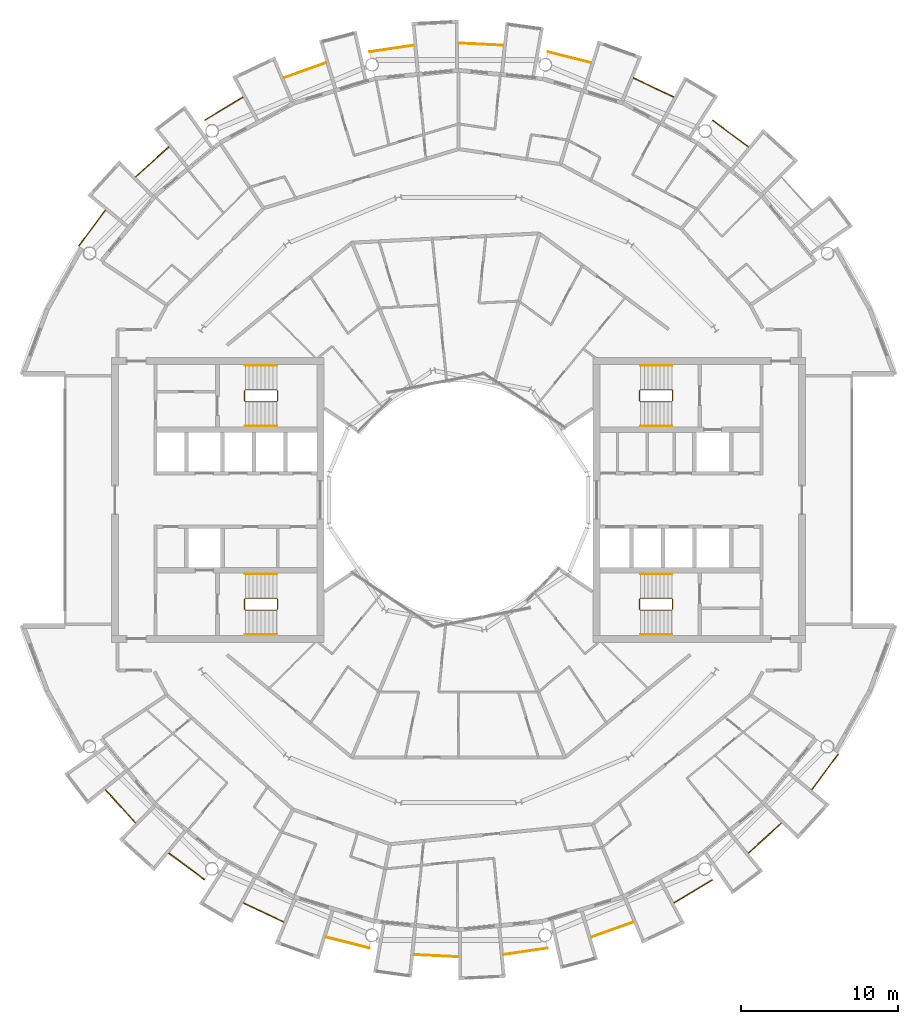
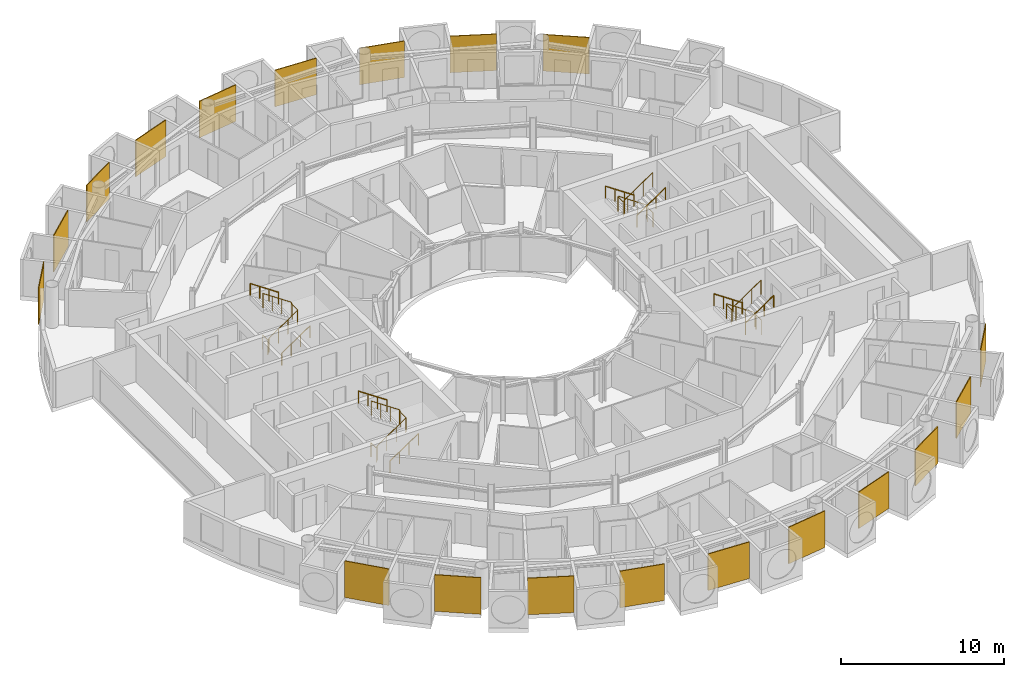
# One storey, part 28 of 29: 31 railings.
"""IFC4 building model written with IfcOpenShell, lengths in metres."""

from ifc_helpers import new_model, si_unit, direction, frame, origin, origin_2d, place, context, subcontext, project, spatial, polyline, circle, outline, extrude, material, layer, layer_set, type_object, element, save


model = new_model("IFC4")

# Units and contexts
model_context = context("Model", 3, precision=1e-05, world=origin(), true_north=direction((0.0, 1.0)))
body_context = subcontext(model_context, "Body", "Model", "MODEL_VIEW")
ifc_project = project(units=[si_unit("LENGTHUNIT", "METRE"), si_unit("AREAUNIT", "SQUARE_METRE"), si_unit("VOLUMEUNIT", "CUBIC_METRE"), si_unit("PLANEANGLEUNIT", "RADIAN"), si_unit("MASSUNIT", "GRAM", prefix="KILO")], contexts=[model_context])

# Site, building, storey
site_placement = place(None, origin())
site = spatial("IfcSite", under=ifc_project, at=site_placement, CompositionType="ELEMENT")
building_placement = place(site_placement, origin())
building = spatial("IfcBuilding", under=site, at=building_placement, Name="Maasbend Ring Residences", CompositionType="ELEMENT")
storey_placement = place(building_placement, frame((0.0, 0.0, 205.449951171875)))
storey = spatial("IfcBuildingStorey", under=building, at=storey_placement, Name="L59", CompositionType="ELEMENT", Elevation=205.449951171875)

# Railings
ifc_material_1 = material(Name="Pale anodised perforated aluminium", Category="aluminium")
ifc_layer = layer(ifc_material_1, 0.06005859375)
ifc_layer_set = layer_set([ifc_layer], Name="SCREEN-P")
railing_type_1 = type_object("IfcRailingType", Name="SCREEN-P", PredefinedType="GUARDRAIL", material=ifc_layer_set)
railing_1_placement = place(storey_placement, frame((0.0, 0.0, -0.030029296875)))
element("IfcRailing", 1, at=railing_1_placement, inside=storey, type_object=railing_type_1, Name="Perforated screen guard 2", PredefinedType="GUARDRAIL", context=body_context, shape_type="SweptSolid", body=[
    extrude(outline(polyline([(18.39697265625, 22.4169921875), (16.112060546875, 24.113037109375), (16.14697265625, 24.160888671875), (18.43310546875, 22.465087890625), (18.39697265625, 22.4169921875)])), origin(), (0.0, 0.0, 1.0), 2.72998046875),
])
railing_2_placement = place(storey_placement, frame((0.0, 0.0, -0.030029296875)))
element("IfcRailing", 2, at=railing_2_placement, inside=storey, type_object=railing_type_1, Name="Perforated screen guard 3", PredefinedType="GUARDRAIL", context=body_context, shape_type="SweptSolid", body=[
    extrude(outline(polyline([(13.6708984375, 25.575927734375), (11.097900390625, 26.79296875), (11.123046875, 26.846923828125), (13.696044921875, 25.6298828125), (13.6708984375, 25.575927734375)])), origin(), (0.0, 0.0, 1.0), 2.72998046875),
])
railing_3_placement = place(storey_placement, frame((0.0, 0.0, -0.030029296875)))
element("IfcRailing", 3, at=railing_3_placement, inside=storey, type_object=railing_type_1, Name="Perforated screen guard 4", PredefinedType="GUARDRAIL", context=body_context, shape_type="SweptSolid", body=[
    extrude(outline(polyline([(8.41796875, 27.7509765625), (5.657958984375, 28.443115234375), (5.672119140625, 28.5009765625), (8.43310546875, 27.80908203125), (8.41796875, 27.7509765625)])), origin(), (0.0, 0.0, 1.0), 2.72998046875),
])
railing_4_placement = place(storey_placement, frame((0.0, 0.0, -0.030029296875)))
element("IfcRailing", 4, at=railing_4_placement, inside=storey, type_object=railing_type_1, Name="Perforated screen guard 5", PredefinedType="GUARDRAIL", context=body_context, shape_type="SweptSolid", body=[
    extrude(outline(polyline([(2.842041015625, 28.860107421875), (0.0, 29.0), (0.0029296875, 29.06005859375), (2.844970703125, 28.919921875), (2.842041015625, 28.860107421875)])), origin(), (0.0, 0.0, 1.0), 2.72998046875),
])
railing_5_placement = place(storey_placement, frame((0.0, 0.0, -0.030029296875)))
element("IfcRailing", 5, at=railing_5_placement, inside=storey, type_object=railing_type_1, Name="Perforated screen guard 6", PredefinedType="GUARDRAIL", context=body_context, shape_type="SweptSolid", body=[
    extrude(outline(polyline([(-2.842041015625, 28.860107421875), (-5.657958984375, 28.443115234375), (-5.666015625, 28.501953125), (-2.85107421875, 28.919921875), (-2.842041015625, 28.860107421875)])), origin(), (0.0, 0.0, 1.0), 2.72998046875),
])
railing_6_placement = place(storey_placement, frame((0.0, 0.0, -0.030029296875)))
element("IfcRailing", 6, at=railing_6_placement, inside=storey, type_object=railing_type_1, Name="Perforated screen guard 7", PredefinedType="GUARDRAIL", context=body_context, shape_type="SweptSolid", body=[
    extrude(outline(polyline([(-8.41796875, 27.7509765625), (-11.097900390625, 26.79296875), (-11.117919921875, 26.84912109375), (-8.43798828125, 27.80810546875), (-8.41796875, 27.7509765625)])), origin(), (0.0, 0.0, 1.0), 2.72998046875),
])
railing_7_placement = place(storey_placement, frame((0.0, 0.0, -0.030029296875)))
element("IfcRailing", 7, at=railing_7_placement, inside=storey, type_object=railing_type_1, Name="Perforated screen guard 8", PredefinedType="GUARDRAIL", context=body_context, shape_type="SweptSolid", body=[
    extrude(outline(polyline([(-13.6708984375, 25.575927734375), (-16.112060546875, 24.113037109375), (-16.14208984375, 24.1640625), (-13.700927734375, 25.626953125), (-13.6708984375, 25.575927734375)])), origin(), (0.0, 0.0, 1.0), 2.72998046875),
])
railing_8_placement = place(storey_placement, frame((0.0, 0.0, -0.030029296875)))
element("IfcRailing", 8, at=railing_8_placement, inside=storey, type_object=railing_type_1, Name="Perforated screen guard 9", PredefinedType="GUARDRAIL", context=body_context, shape_type="SweptSolid", body=[
    extrude(outline(polyline([(-18.39697265625, 22.4169921875), (-20.506103515625, 20.506103515625), (-20.5458984375, 20.551025390625), (-18.43798828125, 22.4619140625), (-18.39697265625, 22.4169921875)])), origin(), (0.0, 0.0, 1.0), 2.72998046875),
])
railing_9_placement = place(storey_placement, frame((0.0, 0.0, -0.030029296875)))
element("IfcRailing", 9, at=railing_9_placement, inside=storey, type_object=railing_type_1, Name="Perforated screen guard 10", PredefinedType="GUARDRAIL", context=body_context, shape_type="SweptSolid", body=[
    extrude(outline(polyline([(-22.4169921875, 18.39697265625), (-24.113037109375, 16.112060546875), (-24.160888671875, 16.14697265625), (-22.465087890625, 18.43310546875), (-22.4169921875, 18.39697265625)])), origin(), (0.0, 0.0, 1.0), 2.72998046875),
])
railing_10_placement = place(storey_placement, frame((0.0, 0.0, -0.030029296875)))
element("IfcRailing", 10, at=railing_10_placement, inside=storey, type_object=railing_type_1, Name="Perforated screen guard 1", PredefinedType="GUARDRAIL", context=body_context, shape_type="SweptSolid", body=[
    extrude(outline(polyline([(-22.4169921875, -18.39697265625), (-20.506103515625, -20.506103515625), (-20.551025390625, -20.5458984375), (-22.4619140625, -18.43798828125), (-22.4169921875, -18.39697265625)])), origin(), (0.0, 0.0, 1.0), 2.72998046875),
])
railing_11_placement = place(storey_placement, frame((0.0, 0.0, -0.030029296875)))
element("IfcRailing", 11, at=railing_11_placement, inside=storey, type_object=railing_type_1, Name="Perforated screen guard 2", PredefinedType="GUARDRAIL", context=body_context, shape_type="SweptSolid", body=[
    extrude(outline(polyline([(-18.39697265625, -22.4169921875), (-16.112060546875, -24.113037109375), (-16.14697265625, -24.160888671875), (-18.43310546875, -22.465087890625), (-18.39697265625, -22.4169921875)])), origin(), (0.0, 0.0, 1.0), 2.72998046875),
])
railing_12_placement = place(storey_placement, frame((0.0, 0.0, -0.030029296875)))
element("IfcRailing", 12, at=railing_12_placement, inside=storey, type_object=railing_type_1, Name="Perforated screen guard 3", PredefinedType="GUARDRAIL", context=body_context, shape_type="SweptSolid", body=[
    extrude(outline(polyline([(-13.6708984375, -25.575927734375), (-11.097900390625, -26.79296875), (-11.123046875, -26.846923828125), (-13.696044921875, -25.6298828125), (-13.6708984375, -25.575927734375)])), origin(), (0.0, 0.0, 1.0), 2.72998046875),
])
railing_13_placement = place(storey_placement, frame((0.0, 0.0, -0.030029296875)))
element("IfcRailing", 13, at=railing_13_placement, inside=storey, type_object=railing_type_1, Name="Perforated screen guard 4", PredefinedType="GUARDRAIL", context=body_context, shape_type="SweptSolid", body=[
    extrude(outline(polyline([(-8.41796875, -27.7509765625), (-5.657958984375, -28.443115234375), (-5.672119140625, -28.5009765625), (-8.43310546875, -27.80908203125), (-8.41796875, -27.7509765625)])), origin(), (0.0, 0.0, 1.0), 2.72998046875),
])
railing_14_placement = place(storey_placement, frame((0.0, 0.0, -0.030029296875)))
element("IfcRailing", 14, at=railing_14_placement, inside=storey, type_object=railing_type_1, Name="Perforated screen guard 5", PredefinedType="GUARDRAIL", context=body_context, shape_type="SweptSolid", body=[
    extrude(outline(polyline([(-2.842041015625, -28.860107421875), (0.0, -29.0), (-0.0029296875, -29.06005859375), (-2.844970703125, -28.919921875), (-2.842041015625, -28.860107421875)])), origin(), (0.0, 0.0, 1.0), 2.72998046875),
])
railing_15_placement = place(storey_placement, frame((0.0, 0.0, -0.030029296875)))
element("IfcRailing", 15, at=railing_15_placement, inside=storey, type_object=railing_type_1, Name="Perforated screen guard 6", PredefinedType="GUARDRAIL", context=body_context, shape_type="SweptSolid", body=[
    extrude(outline(polyline([(2.842041015625, -28.860107421875), (5.657958984375, -28.443115234375), (5.666015625, -28.501953125), (2.85107421875, -28.919921875), (2.842041015625, -28.860107421875)])), origin(), (0.0, 0.0, 1.0), 2.72998046875),
])
railing_16_placement = place(storey_placement, frame((0.0, 0.0, -0.030029296875)))
element("IfcRailing", 16, at=railing_16_placement, inside=storey, type_object=railing_type_1, Name="Perforated screen guard 7", PredefinedType="GUARDRAIL", context=body_context, shape_type="SweptSolid", body=[
    extrude(outline(polyline([(8.41796875, -27.7509765625), (11.097900390625, -26.79296875), (11.117919921875, -26.84912109375), (8.43798828125, -27.80810546875), (8.41796875, -27.7509765625)])), origin(), (0.0, 0.0, 1.0), 2.72998046875),
])
railing_17_placement = place(storey_placement, frame((0.0, 0.0, -0.030029296875)))
element("IfcRailing", 17, at=railing_17_placement, inside=storey, type_object=railing_type_1, Name="Perforated screen guard 8", PredefinedType="GUARDRAIL", context=body_context, shape_type="SweptSolid", body=[
    extrude(outline(polyline([(13.6708984375, -25.575927734375), (16.112060546875, -24.113037109375), (16.14208984375, -24.1640625), (13.700927734375, -25.626953125), (13.6708984375, -25.575927734375)])), origin(), (0.0, 0.0, 1.0), 2.72998046875),
])
railing_18_placement = place(storey_placement, frame((0.0, 0.0, -0.030029296875)))
element("IfcRailing", 18, at=railing_18_placement, inside=storey, type_object=railing_type_1, Name="Perforated screen guard 9", PredefinedType="GUARDRAIL", context=body_context, shape_type="SweptSolid", body=[
    extrude(outline(polyline([(18.39697265625, -22.4169921875), (20.506103515625, -20.506103515625), (20.5458984375, -20.551025390625), (18.43798828125, -22.4619140625), (18.39697265625, -22.4169921875)])), origin(), (0.0, 0.0, 1.0), 2.72998046875),
])
railing_19_placement = place(storey_placement, frame((0.0, 0.0, -0.030029296875)))
element("IfcRailing", 19, at=railing_19_placement, inside=storey, type_object=railing_type_1, Name="Perforated screen guard 10", PredefinedType="GUARDRAIL", context=body_context, shape_type="SweptSolid", body=[
    extrude(outline(polyline([(22.4169921875, -18.39697265625), (24.113037109375, -16.112060546875), (24.160888671875, -16.14697265625), (22.465087890625, -18.43310546875), (22.4169921875, -18.39697265625)])), origin(), (0.0, 0.0, 1.0), 2.72998046875),
])
ifc_material_2 = material(Name="Stainless steel 316", Category="steel")
railing_type_2 = type_object("IfcRailingType", Name="STAIR GUARD 1100", PredefinedType="GUARDRAIL", material=ifc_material_2)
railing_20_placement = place(storey_placement, frame((13.60009765625, 6.300048828125, 0.0)))
element("IfcRailing", 20, at=railing_20_placement, inside=storey, type_object=railing_type_2, Name="L59 ST-E1 stair guard 1", PredefinedType="GUARDRAIL", context=body_context, shape_type="SweptSolid", body=[
    extrude(circle(Radius=0.02392578125, at=origin_2d()), frame((0.0, 0.0, 1.076171875), z_axis=(0.0, 1.0, 0.0), x_axis=(-1.0, 0.0, 0.0)), (0.0, 0.0, 1.0), 0.64990234375),
    extrude(circle(Radius=0.02392578125, at=origin_2d()), frame((0.0, 0.64990234375, 1.076171875), z_axis=(-0.272562526181, 0.272562526181, 0.92272386912), x_axis=(-0.707106781187, -0.707106781187, 0.0)), (0.0, 0.0, 1.0), 0.18359375),
    extrude(circle(Radius=0.02392578125, at=origin_2d()), frame((-0.050048828125, 0.699951171875, 1.24560546875), z_axis=(-0.827750655447, 0.0, 0.561096116906), x_axis=(0.0, -1.0, 0.0)), (0.0, 0.0, 1.0), 2.416259765625),
    extrude(circle(Radius=0.02392578125, at=origin_2d()), frame((-2.050048828125, 0.699951171875, 2.60107421875), z_axis=(-0.707106781187, -0.707106781187, 0.0), x_axis=(0.707106781187, -0.707106781187, 0.0)), (0.0, 0.0, 1.0), 0.07080078125),
    extrude(circle(Radius=0.02392578125, at=origin_2d()), frame((-2.10009765625, 0.64990234375, 2.60107421875), z_axis=(0.0, -1.0, 0.0), x_axis=(1.0, 0.0, 0.0)), (0.0, 0.0, 1.0), 0.64990234375),
    extrude(circle(Radius=0.02392578125, at=origin_2d()), frame((-2.10009765625, 0.0, 2.60107421875), z_axis=(0.272562526181, -0.272562526181, 0.92272386912), x_axis=(0.707106781187, 0.707106781187, 0.0)), (0.0, 0.0, 1.0), 0.18359375),
    extrude(circle(Radius=0.02392578125, at=origin_2d()), frame((-2.050048828125, -0.050048828125, 2.7705078125), z_axis=(0.827797584762, 0.0, 0.561026878735), x_axis=(0.0, 1.0, 0.0)), (0.0, 0.0, 1.0), 2.416015625),
    extrude(circle(Radius=0.02099609375, at=origin_2d()), origin(), (0.0, 0.0, 1.0), 1.052001953125),
    extrude(circle(Radius=0.02099609375, at=origin_2d()), frame((0.0, 0.64990234375, 0.0)), (0.0, 0.0, 1.0), 1.052001953125),
    extrude(circle(Radius=0.02099609375, at=origin_2d()), frame((-0.050048828125, 0.699951171875, 0.16943359375)), (0.0, 0.0, 1.0), 1.052001953125),
    extrude(circle(Radius=0.02099609375, at=origin_2d()), frame((-0.716796875, 0.699951171875, 0.621337890625)), (0.0, 0.0, 1.0), 1.052001953125),
    extrude(circle(Radius=0.02099609375, at=origin_2d()), frame((-1.38330078125, 0.699951171875, 1.0732421875)), (0.0, 0.0, 1.0), 1.052001953125),
    extrude(circle(Radius=0.02099609375, at=origin_2d()), frame((-2.050048828125, 0.699951171875, 1.525146484375)), (0.0, 0.0, 1.0), 1.052001953125),
    extrude(circle(Radius=0.02099609375, at=origin_2d()), frame((-2.10009765625, 0.64990234375, 1.525146484375)), (0.0, 0.0, 1.0), 1.052001953125),
    extrude(circle(Radius=0.02099609375, at=origin_2d()), frame((-2.10009765625, 0.0, 1.525146484375)), (0.0, 0.0, 1.0), 1.052001953125),
    extrude(circle(Radius=0.02099609375, at=origin_2d()), frame((-2.050048828125, -0.050048828125, 1.694580078125)), (0.0, 0.0, 1.0), 1.052001953125),
    extrude(circle(Radius=0.02099609375, at=origin_2d()), frame((-1.38330078125, -0.050048828125, 2.146484375)), (0.0, 0.0, 1.0), 1.052001953125),
    extrude(circle(Radius=0.02099609375, at=origin_2d()), frame((-0.716796875, -0.050048828125, 2.59814453125)), (0.0, 0.0, 1.0), 1.052001953125),
    extrude(circle(Radius=0.02099609375, at=origin_2d()), frame((-0.050048828125, -0.050048828125, 3.050048828125)), (0.0, 0.0, 1.0), 1.052001953125),
])
railing_21_placement = place(storey_placement, frame((13.60009765625, -6.949951171875, 0.0)))
element("IfcRailing", 21, at=railing_21_placement, inside=storey, type_object=railing_type_2, Name="L59 ST-E2 stair guard 1", PredefinedType="GUARDRAIL", context=body_context, shape_type="SweptSolid", body=[
    extrude(circle(Radius=0.02392578125, at=origin_2d()), frame((0.0, 0.0, 1.076171875), z_axis=(0.0, 1.0, 0.0), x_axis=(-1.0, 0.0, 0.0)), (0.0, 0.0, 1.0), 0.64990234375),
    extrude(circle(Radius=0.02392578125, at=origin_2d()), frame((0.0, 0.64990234375, 1.076171875), z_axis=(-0.272562526181, 0.272562526181, 0.92272386912), x_axis=(-0.707106781187, -0.707106781187, 0.0)), (0.0, 0.0, 1.0), 0.18359375),
    extrude(circle(Radius=0.02392578125, at=origin_2d()), frame((-0.050048828125, 0.699951171875, 1.24560546875), z_axis=(-0.827750655447, 0.0, 0.561096116906), x_axis=(0.0, -1.0, 0.0)), (0.0, 0.0, 1.0), 2.416259765625),
    extrude(circle(Radius=0.02392578125, at=origin_2d()), frame((-2.050048828125, 0.699951171875, 2.60107421875), z_axis=(-0.707106781187, -0.707106781187, 0.0), x_axis=(0.707106781187, -0.707106781187, 0.0)), (0.0, 0.0, 1.0), 0.07080078125),
    extrude(circle(Radius=0.02392578125, at=origin_2d()), frame((-2.10009765625, 0.64990234375, 2.60107421875), z_axis=(0.0, -1.0, 0.0), x_axis=(1.0, 0.0, 0.0)), (0.0, 0.0, 1.0), 0.64990234375),
    extrude(circle(Radius=0.02392578125, at=origin_2d()), frame((-2.10009765625, 0.0, 2.60107421875), z_axis=(0.272562526181, -0.272562526181, 0.92272386912), x_axis=(0.707106781187, 0.707106781187, 0.0)), (0.0, 0.0, 1.0), 0.18359375),
    extrude(circle(Radius=0.02392578125, at=origin_2d()), frame((-2.050048828125, -0.050048828125, 2.7705078125), z_axis=(0.827797584762, 0.0, 0.561026878735), x_axis=(0.0, 1.0, 0.0)), (0.0, 0.0, 1.0), 2.416015625),
    extrude(circle(Radius=0.02099609375, at=origin_2d()), origin(), (0.0, 0.0, 1.0), 1.052001953125),
    extrude(circle(Radius=0.02099609375, at=origin_2d()), frame((0.0, 0.64990234375, 0.0)), (0.0, 0.0, 1.0), 1.052001953125),
    extrude(circle(Radius=0.02099609375, at=origin_2d()), frame((-0.050048828125, 0.699951171875, 0.16943359375)), (0.0, 0.0, 1.0), 1.052001953125),
    extrude(circle(Radius=0.02099609375, at=origin_2d()), frame((-0.716796875, 0.699951171875, 0.621337890625)), (0.0, 0.0, 1.0), 1.052001953125),
    extrude(circle(Radius=0.02099609375, at=origin_2d()), frame((-1.38330078125, 0.699951171875, 1.0732421875)), (0.0, 0.0, 1.0), 1.052001953125),
    extrude(circle(Radius=0.02099609375, at=origin_2d()), frame((-2.050048828125, 0.699951171875, 1.525146484375)), (0.0, 0.0, 1.0), 1.052001953125),
    extrude(circle(Radius=0.02099609375, at=origin_2d()), frame((-2.10009765625, 0.64990234375, 1.525146484375)), (0.0, 0.0, 1.0), 1.052001953125),
    extrude(circle(Radius=0.02099609375, at=origin_2d()), frame((-2.10009765625, 0.0, 1.525146484375)), (0.0, 0.0, 1.0), 1.052001953125),
    extrude(circle(Radius=0.02099609375, at=origin_2d()), frame((-2.050048828125, -0.050048828125, 1.694580078125)), (0.0, 0.0, 1.0), 1.052001953125),
    extrude(circle(Radius=0.02099609375, at=origin_2d()), frame((-1.38330078125, -0.050048828125, 2.146484375)), (0.0, 0.0, 1.0), 1.052001953125),
    extrude(circle(Radius=0.02099609375, at=origin_2d()), frame((-0.716796875, -0.050048828125, 2.59814453125)), (0.0, 0.0, 1.0), 1.052001953125),
    extrude(circle(Radius=0.02099609375, at=origin_2d()), frame((-0.050048828125, -0.050048828125, 3.050048828125)), (0.0, 0.0, 1.0), 1.052001953125),
])
railing_22_placement = place(storey_placement, frame((-13.60009765625, -6.300048828125, 0.0)))
element("IfcRailing", 22, at=railing_22_placement, inside=storey, type_object=railing_type_2, Name="L59 ST-W1 stair guard 1", PredefinedType="GUARDRAIL", context=body_context, shape_type="SweptSolid", body=[
    extrude(circle(Radius=0.02392578125, at=origin_2d()), frame((0.0, 0.0, 1.076171875), z_axis=(0.0, -1.0, 0.0), x_axis=(1.0, 0.0, 0.0)), (0.0, 0.0, 1.0), 0.64990234375),
    extrude(circle(Radius=0.02392578125, at=origin_2d()), frame((0.0, -0.64990234375, 1.076171875), z_axis=(0.272562526181, -0.272562526181, 0.92272386912), x_axis=(0.707106781187, 0.707106781187, 0.0)), (0.0, 0.0, 1.0), 0.18359375),
    extrude(circle(Radius=0.02392578125, at=origin_2d()), frame((0.050048828125, -0.699951171875, 1.24560546875), z_axis=(0.827750655447, 0.0, 0.561096116906), x_axis=(0.0, 1.0, 0.0)), (0.0, 0.0, 1.0), 2.416259765625),
    extrude(circle(Radius=0.02392578125, at=origin_2d()), frame((2.050048828125, -0.699951171875, 2.60107421875), z_axis=(0.707106781187, 0.707106781187, 0.0), x_axis=(-0.707106781187, 0.707106781187, 0.0)), (0.0, 0.0, 1.0), 0.07080078125),
    extrude(circle(Radius=0.02392578125, at=origin_2d()), frame((2.10009765625, -0.64990234375, 2.60107421875), z_axis=(0.0, 1.0, 0.0), x_axis=(-1.0, 0.0, 0.0)), (0.0, 0.0, 1.0), 0.64990234375),
    extrude(circle(Radius=0.02392578125, at=origin_2d()), frame((2.10009765625, 0.0, 2.60107421875), z_axis=(-0.272562526181, 0.272562526181, 0.92272386912), x_axis=(-0.707106781187, -0.707106781187, 0.0)), (0.0, 0.0, 1.0), 0.18359375),
    extrude(circle(Radius=0.02392578125, at=origin_2d()), frame((2.050048828125, 0.050048828125, 2.7705078125), z_axis=(-0.827797584762, 0.0, 0.561026878735), x_axis=(0.0, -1.0, 0.0)), (0.0, 0.0, 1.0), 2.416015625),
    extrude(circle(Radius=0.02099609375, at=origin_2d()), origin(), (0.0, 0.0, 1.0), 1.052001953125),
    extrude(circle(Radius=0.02099609375, at=origin_2d()), frame((0.0, -0.64990234375, 0.0)), (0.0, 0.0, 1.0), 1.052001953125),
    extrude(circle(Radius=0.02099609375, at=origin_2d()), frame((0.050048828125, -0.699951171875, 0.16943359375)), (0.0, 0.0, 1.0), 1.052001953125),
    extrude(circle(Radius=0.02099609375, at=origin_2d()), frame((0.716796875, -0.699951171875, 0.621337890625)), (0.0, 0.0, 1.0), 1.052001953125),
    extrude(circle(Radius=0.02099609375, at=origin_2d()), frame((1.38330078125, -0.699951171875, 1.0732421875)), (0.0, 0.0, 1.0), 1.052001953125),
    extrude(circle(Radius=0.02099609375, at=origin_2d()), frame((2.050048828125, -0.699951171875, 1.525146484375)), (0.0, 0.0, 1.0), 1.052001953125),
    extrude(circle(Radius=0.02099609375, at=origin_2d()), frame((2.10009765625, -0.64990234375, 1.525146484375)), (0.0, 0.0, 1.0), 1.052001953125),
    extrude(circle(Radius=0.02099609375, at=origin_2d()), frame((2.10009765625, 0.0, 1.525146484375)), (0.0, 0.0, 1.0), 1.052001953125),
    extrude(circle(Radius=0.02099609375, at=origin_2d()), frame((2.050048828125, 0.050048828125, 1.694580078125)), (0.0, 0.0, 1.0), 1.052001953125),
    extrude(circle(Radius=0.02099609375, at=origin_2d()), frame((1.38330078125, 0.050048828125, 2.146484375)), (0.0, 0.0, 1.0), 1.052001953125),
    extrude(circle(Radius=0.02099609375, at=origin_2d()), frame((0.716796875, 0.050048828125, 2.59814453125)), (0.0, 0.0, 1.0), 1.052001953125),
    extrude(circle(Radius=0.02099609375, at=origin_2d()), frame((0.050048828125, 0.050048828125, 3.050048828125)), (0.0, 0.0, 1.0), 1.052001953125),
])
railing_23_placement = place(storey_placement, frame((-13.60009765625, 6.949951171875, 0.0)))
element("IfcRailing", 23, at=railing_23_placement, inside=storey, type_object=railing_type_2, Name="L59 ST-W2 stair guard 1", PredefinedType="GUARDRAIL", context=body_context, shape_type="SweptSolid", body=[
    extrude(circle(Radius=0.02392578125, at=origin_2d()), frame((0.0, 0.0, 1.076171875), z_axis=(0.0, -1.0, 0.0), x_axis=(1.0, 0.0, 0.0)), (0.0, 0.0, 1.0), 0.64990234375),
    extrude(circle(Radius=0.02392578125, at=origin_2d()), frame((0.0, -0.64990234375, 1.076171875), z_axis=(0.272562526181, -0.272562526181, 0.92272386912), x_axis=(0.707106781187, 0.707106781187, 0.0)), (0.0, 0.0, 1.0), 0.18359375),
    extrude(circle(Radius=0.02392578125, at=origin_2d()), frame((0.050048828125, -0.699951171875, 1.24560546875), z_axis=(0.827750655447, 0.0, 0.561096116906), x_axis=(0.0, 1.0, 0.0)), (0.0, 0.0, 1.0), 2.416259765625),
    extrude(circle(Radius=0.02392578125, at=origin_2d()), frame((2.050048828125, -0.699951171875, 2.60107421875), z_axis=(0.707106781187, 0.707106781187, 0.0), x_axis=(-0.707106781187, 0.707106781187, 0.0)), (0.0, 0.0, 1.0), 0.07080078125),
    extrude(circle(Radius=0.02392578125, at=origin_2d()), frame((2.10009765625, -0.64990234375, 2.60107421875), z_axis=(0.0, 1.0, 0.0), x_axis=(-1.0, 0.0, 0.0)), (0.0, 0.0, 1.0), 0.64990234375),
    extrude(circle(Radius=0.02392578125, at=origin_2d()), frame((2.10009765625, 0.0, 2.60107421875), z_axis=(-0.272562526181, 0.272562526181, 0.92272386912), x_axis=(-0.707106781187, -0.707106781187, 0.0)), (0.0, 0.0, 1.0), 0.18359375),
    extrude(circle(Radius=0.02392578125, at=origin_2d()), frame((2.050048828125, 0.050048828125, 2.7705078125), z_axis=(-0.827797584762, 0.0, 0.561026878735), x_axis=(0.0, -1.0, 0.0)), (0.0, 0.0, 1.0), 2.416015625),
    extrude(circle(Radius=0.02099609375, at=origin_2d()), origin(), (0.0, 0.0, 1.0), 1.052001953125),
    extrude(circle(Radius=0.02099609375, at=origin_2d()), frame((0.0, -0.64990234375, 0.0)), (0.0, 0.0, 1.0), 1.052001953125),
    extrude(circle(Radius=0.02099609375, at=origin_2d()), frame((0.050048828125, -0.699951171875, 0.16943359375)), (0.0, 0.0, 1.0), 1.052001953125),
    extrude(circle(Radius=0.02099609375, at=origin_2d()), frame((0.716796875, -0.699951171875, 0.621337890625)), (0.0, 0.0, 1.0), 1.052001953125),
    extrude(circle(Radius=0.02099609375, at=origin_2d()), frame((1.38330078125, -0.699951171875, 1.0732421875)), (0.0, 0.0, 1.0), 1.052001953125),
    extrude(circle(Radius=0.02099609375, at=origin_2d()), frame((2.050048828125, -0.699951171875, 1.525146484375)), (0.0, 0.0, 1.0), 1.052001953125),
    extrude(circle(Radius=0.02099609375, at=origin_2d()), frame((2.10009765625, -0.64990234375, 1.525146484375)), (0.0, 0.0, 1.0), 1.052001953125),
    extrude(circle(Radius=0.02099609375, at=origin_2d()), frame((2.10009765625, 0.0, 1.525146484375)), (0.0, 0.0, 1.0), 1.052001953125),
    extrude(circle(Radius=0.02099609375, at=origin_2d()), frame((2.050048828125, 0.050048828125, 1.694580078125)), (0.0, 0.0, 1.0), 1.052001953125),
    extrude(circle(Radius=0.02099609375, at=origin_2d()), frame((1.38330078125, 0.050048828125, 2.146484375)), (0.0, 0.0, 1.0), 1.052001953125),
    extrude(circle(Radius=0.02099609375, at=origin_2d()), frame((0.716796875, 0.050048828125, 2.59814453125)), (0.0, 0.0, 1.0), 1.052001953125),
    extrude(circle(Radius=0.02099609375, at=origin_2d()), frame((0.050048828125, 0.050048828125, 3.050048828125)), (0.0, 0.0, 1.0), 1.052001953125),
])
ifc_material_3 = material(Name="Stainless steel 316", Category="steel")
railing_type_3 = type_object("IfcRailingType", Name="STAIR HANDRAIL 900", PredefinedType="HANDRAIL", material=ifc_material_3)
railing_24_placement = place(storey_placement, frame((13.550048828125, 8.550048828125, 0.16943359375)))
element("IfcRailing", 24, at=railing_24_placement, inside=storey, type_object=railing_type_3, Name="L59 ST-E1 stair handrail 1", PredefinedType="HANDRAIL", context=body_context, shape_type="SweptSolid", body=[
    extrude(circle(Radius=0.02392578125, at=origin_2d()), frame((0.0, 0.0, 0.8759765625), z_axis=(-0.827750655447, 0.0, 0.561096116906), x_axis=(0.0, -1.0, 0.0)), (0.0, 0.0, 1.0), 2.416259765625),
    extrude(circle(Radius=0.02099609375, at=origin_2d()), origin(), (0.0, 0.0, 1.0), 0.851806640625),
    extrude(circle(Radius=0.02099609375, at=origin_2d()), frame((-0.666748046875, 0.0, 0.451904296875)), (0.0, 0.0, 1.0), 0.851806640625),
    extrude(circle(Radius=0.02099609375, at=origin_2d()), frame((-1.333251953125, 0.0, 0.90380859375)), (0.0, 0.0, 1.0), 0.851806640625),
    extrude(circle(Radius=0.02099609375, at=origin_2d()), frame((-2.0, 0.0, 1.355712890625)), (0.0, 0.0, 1.0), 0.851806640625),
])
railing_25_placement = place(storey_placement, frame((11.550048828125, 4.699951171875, 1.694580078125)))
element("IfcRailing", 25, at=railing_25_placement, inside=storey, type_object=railing_type_3, Name="L59 ST-E1 stair handrail 2", PredefinedType="HANDRAIL", context=body_context, shape_type="SweptSolid", body=[
    extrude(circle(Radius=0.02392578125, at=origin_2d()), frame((0.0, 0.0, 0.8759765625), z_axis=(0.827797584762, 0.0, 0.561026878735), x_axis=(0.0, 1.0, 0.0)), (0.0, 0.0, 1.0), 2.416015625),
    extrude(circle(Radius=0.02099609375, at=origin_2d()), origin(), (0.0, 0.0, 1.0), 0.851806640625),
    extrude(circle(Radius=0.02099609375, at=origin_2d()), frame((0.666748046875, 0.0, 0.451904296875)), (0.0, 0.0, 1.0), 0.851806640625),
    extrude(circle(Radius=0.02099609375, at=origin_2d()), frame((1.333251953125, 0.0, 0.903564453125)), (0.0, 0.0, 1.0), 0.851806640625),
    extrude(circle(Radius=0.02099609375, at=origin_2d()), frame((2.0, 0.0, 1.35546875)), (0.0, 0.0, 1.0), 0.851806640625),
])
railing_26_placement = place(storey_placement, frame((13.550048828125, -4.699951171875, 0.16943359375)))
element("IfcRailing", 26, at=railing_26_placement, inside=storey, type_object=railing_type_3, Name="L59 ST-E2 stair handrail 1", PredefinedType="HANDRAIL", context=body_context, shape_type="SweptSolid", body=[
    extrude(circle(Radius=0.02392578125, at=origin_2d()), frame((0.0, 0.0, 0.8759765625), z_axis=(-0.827750655447, 0.0, 0.561096116906), x_axis=(0.0, -1.0, 0.0)), (0.0, 0.0, 1.0), 2.416259765625),
    extrude(circle(Radius=0.02099609375, at=origin_2d()), origin(), (0.0, 0.0, 1.0), 0.851806640625),
    extrude(circle(Radius=0.02099609375, at=origin_2d()), frame((-0.666748046875, 0.0, 0.451904296875)), (0.0, 0.0, 1.0), 0.851806640625),
    extrude(circle(Radius=0.02099609375, at=origin_2d()), frame((-1.333251953125, 0.0, 0.90380859375)), (0.0, 0.0, 1.0), 0.851806640625),
    extrude(circle(Radius=0.02099609375, at=origin_2d()), frame((-2.0, 0.0, 1.355712890625)), (0.0, 0.0, 1.0), 0.851806640625),
])
railing_27_placement = place(storey_placement, frame((11.550048828125, -8.550048828125, 1.694580078125)))
element("IfcRailing", 27, at=railing_27_placement, inside=storey, type_object=railing_type_3, Name="L59 ST-E2 stair handrail 2", PredefinedType="HANDRAIL", context=body_context, shape_type="SweptSolid", body=[
    extrude(circle(Radius=0.02392578125, at=origin_2d()), frame((0.0, 0.0, 0.8759765625), z_axis=(0.827797584762, 0.0, 0.561026878735), x_axis=(0.0, 1.0, 0.0)), (0.0, 0.0, 1.0), 2.416015625),
    extrude(circle(Radius=0.02099609375, at=origin_2d()), origin(), (0.0, 0.0, 1.0), 0.851806640625),
    extrude(circle(Radius=0.02099609375, at=origin_2d()), frame((0.666748046875, 0.0, 0.451904296875)), (0.0, 0.0, 1.0), 0.851806640625),
    extrude(circle(Radius=0.02099609375, at=origin_2d()), frame((1.333251953125, 0.0, 0.903564453125)), (0.0, 0.0, 1.0), 0.851806640625),
    extrude(circle(Radius=0.02099609375, at=origin_2d()), frame((2.0, 0.0, 1.35546875)), (0.0, 0.0, 1.0), 0.851806640625),
])
railing_28_placement = place(storey_placement, frame((-13.550048828125, -8.550048828125, 0.16943359375)))
element("IfcRailing", 28, at=railing_28_placement, inside=storey, type_object=railing_type_3, Name="L59 ST-W1 stair handrail 1", PredefinedType="HANDRAIL", context=body_context, shape_type="SweptSolid", body=[
    extrude(circle(Radius=0.02392578125, at=origin_2d()), frame((0.0, 0.0, 0.8759765625), z_axis=(0.827750655447, 0.0, 0.561096116906), x_axis=(0.0, 1.0, 0.0)), (0.0, 0.0, 1.0), 2.416259765625),
    extrude(circle(Radius=0.02099609375, at=origin_2d()), origin(), (0.0, 0.0, 1.0), 0.851806640625),
    extrude(circle(Radius=0.02099609375, at=origin_2d()), frame((0.666748046875, 0.0, 0.451904296875)), (0.0, 0.0, 1.0), 0.851806640625),
    extrude(circle(Radius=0.02099609375, at=origin_2d()), frame((1.333251953125, 0.0, 0.90380859375)), (0.0, 0.0, 1.0), 0.851806640625),
    extrude(circle(Radius=0.02099609375, at=origin_2d()), frame((2.0, 0.0, 1.355712890625)), (0.0, 0.0, 1.0), 0.851806640625),
])
railing_29_placement = place(storey_placement, frame((-11.550048828125, -4.699951171875, 1.694580078125)))
element("IfcRailing", 29, at=railing_29_placement, inside=storey, type_object=railing_type_3, Name="L59 ST-W1 stair handrail 2", PredefinedType="HANDRAIL", context=body_context, shape_type="SweptSolid", body=[
    extrude(circle(Radius=0.02392578125, at=origin_2d()), frame((0.0, 0.0, 0.8759765625), z_axis=(-0.827797584762, 0.0, 0.561026878735), x_axis=(0.0, -1.0, 0.0)), (0.0, 0.0, 1.0), 2.416015625),
    extrude(circle(Radius=0.02099609375, at=origin_2d()), origin(), (0.0, 0.0, 1.0), 0.851806640625),
    extrude(circle(Radius=0.02099609375, at=origin_2d()), frame((-0.666748046875, 0.0, 0.451904296875)), (0.0, 0.0, 1.0), 0.851806640625),
    extrude(circle(Radius=0.02099609375, at=origin_2d()), frame((-1.333251953125, 0.0, 0.903564453125)), (0.0, 0.0, 1.0), 0.851806640625),
    extrude(circle(Radius=0.02099609375, at=origin_2d()), frame((-2.0, 0.0, 1.35546875)), (0.0, 0.0, 1.0), 0.851806640625),
])
railing_30_placement = place(storey_placement, frame((-13.550048828125, 4.699951171875, 0.16943359375)))
element("IfcRailing", 30, at=railing_30_placement, inside=storey, type_object=railing_type_3, Name="L59 ST-W2 stair handrail 1", PredefinedType="HANDRAIL", context=body_context, shape_type="SweptSolid", body=[
    extrude(circle(Radius=0.02392578125, at=origin_2d()), frame((0.0, 0.0, 0.8759765625), z_axis=(0.827750655447, 0.0, 0.561096116906), x_axis=(0.0, 1.0, 0.0)), (0.0, 0.0, 1.0), 2.416259765625),
    extrude(circle(Radius=0.02099609375, at=origin_2d()), origin(), (0.0, 0.0, 1.0), 0.851806640625),
    extrude(circle(Radius=0.02099609375, at=origin_2d()), frame((0.666748046875, 0.0, 0.451904296875)), (0.0, 0.0, 1.0), 0.851806640625),
    extrude(circle(Radius=0.02099609375, at=origin_2d()), frame((1.333251953125, 0.0, 0.90380859375)), (0.0, 0.0, 1.0), 0.851806640625),
    extrude(circle(Radius=0.02099609375, at=origin_2d()), frame((2.0, 0.0, 1.355712890625)), (0.0, 0.0, 1.0), 0.851806640625),
])
railing_31_placement = place(storey_placement, frame((-11.550048828125, 8.550048828125, 1.694580078125)))
element("IfcRailing", 31, at=railing_31_placement, inside=storey, type_object=railing_type_3, Name="L59 ST-W2 stair handrail 2", PredefinedType="HANDRAIL", context=body_context, shape_type="SweptSolid", body=[
    extrude(circle(Radius=0.02392578125, at=origin_2d()), frame((0.0, 0.0, 0.8759765625), z_axis=(-0.827797584762, 0.0, 0.561026878735), x_axis=(0.0, -1.0, 0.0)), (0.0, 0.0, 1.0), 2.416015625),
    extrude(circle(Radius=0.02099609375, at=origin_2d()), origin(), (0.0, 0.0, 1.0), 0.851806640625),
    extrude(circle(Radius=0.02099609375, at=origin_2d()), frame((-0.666748046875, 0.0, 0.451904296875)), (0.0, 0.0, 1.0), 0.851806640625),
    extrude(circle(Radius=0.02099609375, at=origin_2d()), frame((-1.333251953125, 0.0, 0.903564453125)), (0.0, 0.0, 1.0), 0.851806640625),
    extrude(circle(Radius=0.02099609375, at=origin_2d()), frame((-2.0, 0.0, 1.35546875)), (0.0, 0.0, 1.0), 0.851806640625),
])

save(model, "model.ifc")
